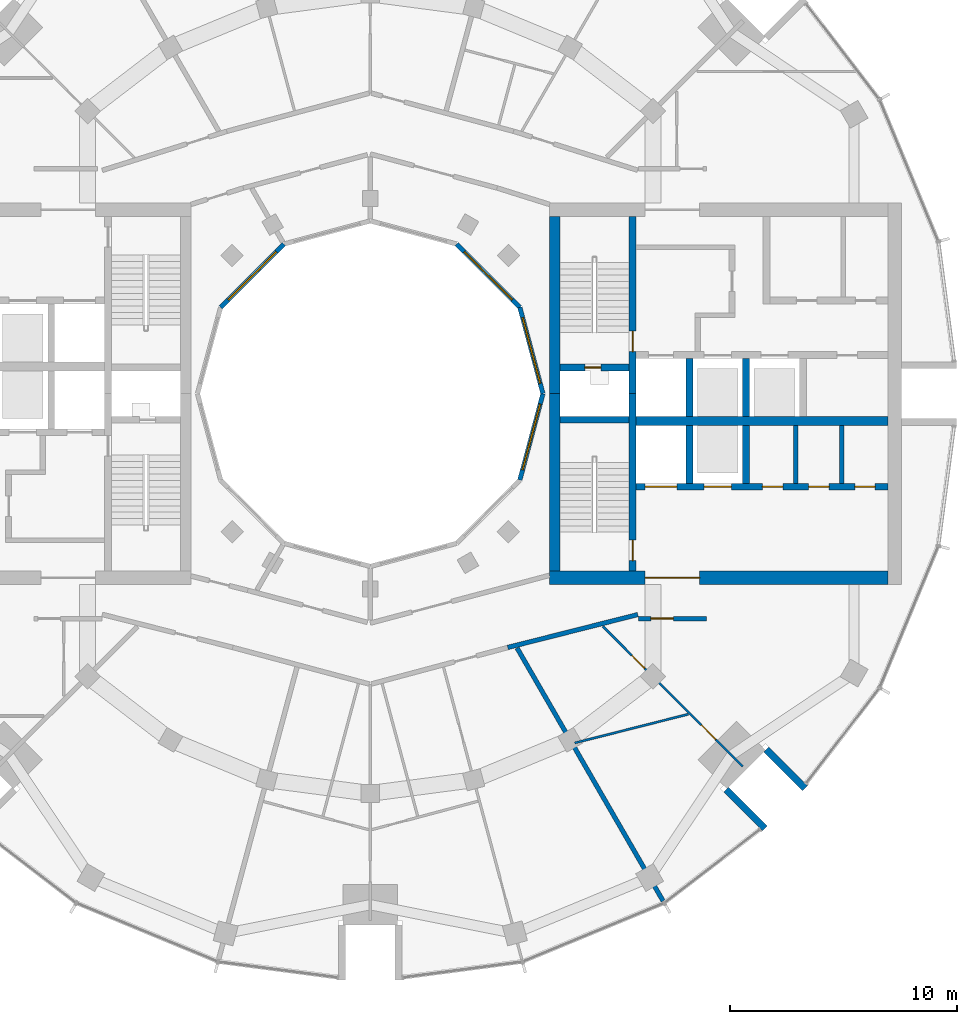
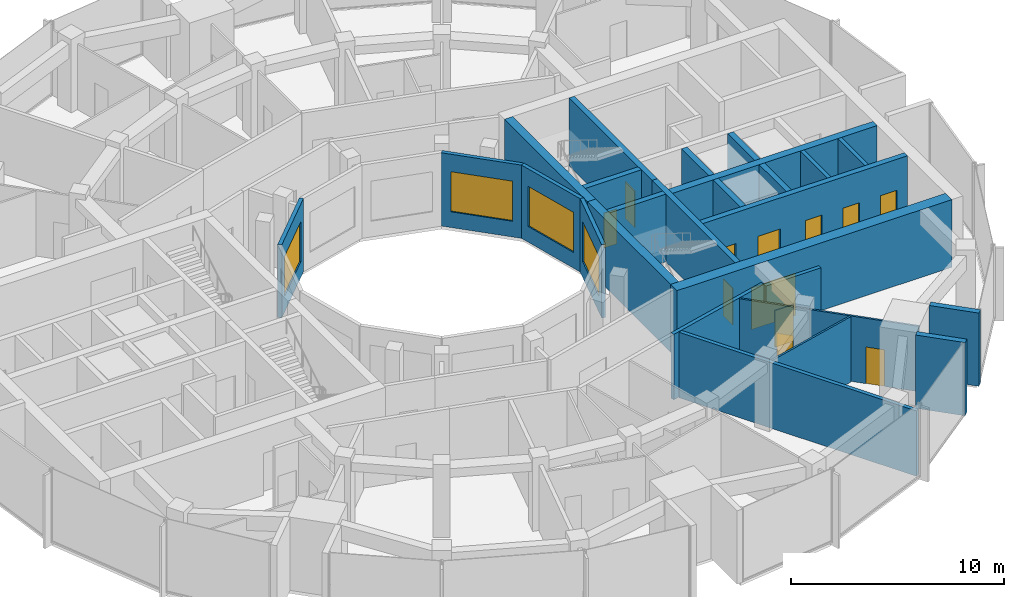
# One storey, part 10 of 15: 26 walls, 12 doors, 4 windows, 16 openings.
"""IFC4 building model written with IfcOpenShell, lengths in metres."""

import ifcopenshell
import ifcopenshell.guid

model = None  # the IFC model being written
_history = None  # IfcOwnerHistory: only IFC2X3 demands one
_inside = {}  # id of a spatial element -> (the spatial element, [elements in it])
_under = {}  # id of a project, library or spatial element -> (it, [spatial elements below it])
_declared = {}  # id of a project -> (the project, [libraries it declares])
_typed = {}  # id of a type object -> (the type object, [elements of that type])
_made_of = {}  # id of a material, layer set ... -> (it, [elements and type objects made of it])


def new_model(schema):
    """Start an empty IFC model of exactly this schema.

    Asked for "IFC4X3", IfcOpenShell would pick the latest addendum, in which some entities
    have other attributes; the version numbers below select the first issue.
    IFC2X3 requires an IfcOwnerHistory on every rooted entity: one is made here for all.
    """
    global model, _history
    if schema == "IFC4X3":
        model = ifcopenshell.file(schema_version=(4, 3, 0, 0))
    else:
        model = ifcopenshell.file(schema=schema)
    _inside.clear()
    _under.clear()
    _declared.clear()
    _typed.clear()
    _made_of.clear()
    _history = None
    if model.schema == "IFC2X3":
        org = make("IfcOrganization", Name="unknown")
        user = make(
            "IfcPersonAndOrganization",
            ThePerson=make("IfcPerson", FamilyName="unknown"),
            TheOrganization=org,
        )
        app = make(
            "IfcApplication",
            ApplicationDeveloper=org,
            Version="unknown",
            ApplicationFullName="unknown",
            ApplicationIdentifier="unknown",
        )
        _history = make(
            "IfcOwnerHistory",
            OwningUser=user,
            OwningApplication=app,
            ChangeAction="ADDED",
            CreationDate=0,
        )
    return model


def make(cls, **values):
    """One entity of the class cls with the attributes given. An attribute that is None is left unset."""
    return model.create_entity(
        cls, **{name: value for name, value in values.items() if value is not None}
    )


def rooted(cls, **values):
    """An entity with a GlobalId (a new one), such as an element, a storey or a relation."""
    return make(cls, GlobalId=ifcopenshell.guid.new(), OwnerHistory=_history, **values)


def si_unit(unit_type, name, prefix=None):
    """IfcSIUnit, for example si_unit("LENGTHUNIT", "METRE", prefix="MILLI")."""
    return make("IfcSIUnit", UnitType=unit_type, Prefix=prefix, Name=name)


def assignment(units):
    """IfcUnitAssignment: the units of a project."""
    return None if units is None else make("IfcUnitAssignment", Units=units)


def point(xyz):
    """IfcCartesianPoint."""
    return None if xyz is None else make("IfcCartesianPoint", Coordinates=xyz)


def direction(xyz):
    """IfcDirection."""
    return None if xyz is None else make("IfcDirection", DirectionRatios=xyz)


def frame(location, z_axis=None, x_axis=None):
    """IfcAxis2Placement3D, a coordinate frame: its origin and axes. An axis left out is left unset."""
    return make(
        "IfcAxis2Placement3D",
        Location=point(location),
        Axis=direction(z_axis),
        RefDirection=direction(x_axis),
    )


def frame_2d(location, x_axis=None):
    """IfcAxis2Placement2D, a coordinate frame in the plane: its origin and x axis."""
    return make(
        "IfcAxis2Placement2D", Location=point(location), RefDirection=direction(x_axis)
    )


def origin():
    """The frame at (0, 0, 0) with its axes left unset."""
    return frame((0.0, 0.0, 0.0))


def place(relative_to, where):
    """IfcLocalPlacement: puts the frame where relative to a parent placement (None: the world)."""
    return make(
        "IfcLocalPlacement", PlacementRelTo=relative_to, RelativePlacement=where
    )


def context(
    kind, dimensions, precision=None, world=None, true_north=None, identifier=None
):
    """IfcGeometricRepresentationContext, for example the 3D "Model" context."""
    return make(
        "IfcGeometricRepresentationContext",
        ContextIdentifier=identifier,
        ContextType=kind,
        CoordinateSpaceDimension=dimensions,
        Precision=precision,
        WorldCoordinateSystem=world,
        TrueNorth=true_north,
    )


def subcontext(parent, identifier, kind, view, scale=None):
    """IfcGeometricRepresentationSubContext, for example "Body" below "Model"."""
    return make(
        "IfcGeometricRepresentationSubContext",
        ContextIdentifier=identifier,
        ContextType=kind,
        ParentContext=parent,
        TargetScale=scale,
        TargetView=view,
    )


def project(units=None, contexts=None):
    """IfcProject with its units and contexts."""
    return rooted(
        "IfcProject",
        Name="project",
        RepresentationContexts=contexts,
        UnitsInContext=assignment(units),
    )


def spatial(cls, under=None, at=None, **own):
    """A site, building, storey or space (cls), placed at a placement, below another one or the project."""
    s = rooted(cls, ObjectPlacement=at, **own)
    if under is not None:
        _under.setdefault(under.id(), (under, []))[1].append(s)
    return s


def profile(cls, at=None, kind="AREA", **sizes):
    """A parametric profile (cls). Its sizes go by their IFC names, for example OverallWidth=200.0."""
    return make(cls, ProfileType=kind, Position=at, **sizes)


def rectangle(**sizes):
    """IfcRectangleProfileDef."""
    return profile("IfcRectangleProfileDef", **sizes)


def extrude(swept, where, along, depth):
    """IfcExtrudedAreaSolid: the profile swept, set in the frame where, extruded along a direction by depth."""
    return make(
        "IfcExtrudedAreaSolid",
        SweptArea=swept,
        Position=where,
        ExtrudedDirection=direction(along),
        Depth=depth,
    )


def shape(context_of_items, identifier, shape_type, items):
    """IfcShapeRepresentation: the items that make up one representation, for example the "Body"."""
    return make(
        "IfcShapeRepresentation",
        ContextOfItems=context_of_items,
        RepresentationIdentifier=identifier,
        RepresentationType=shape_type,
        Items=items,
    )


def material(Name=None, Category=None):
    """IfcMaterial."""
    return make("IfcMaterial", Name=Name, Category=Category)


def layer(
    of_material, thickness, ventilated=None, Name=None, Category=None, Priority=None
):
    """IfcMaterialLayer: one layer of a wall or slab, of a material (None: an air gap)."""
    return make(
        "IfcMaterialLayer",
        Material=of_material,
        LayerThickness=thickness,
        IsVentilated=ventilated,
        Name=Name,
        Category=Category,
        Priority=Priority,
    )


def layer_set(layers, Name=None):
    """IfcMaterialLayerSet."""
    return make("IfcMaterialLayerSet", MaterialLayers=layers, LayerSetName=Name)


def made_of(thing, what):
    """Note that an element or type object is made of a material, layer set ...; save() writes the relation."""
    if what is not None:
        _made_of.setdefault(what.id(), (what, []))[1].append(thing)
    return thing


def type_object(cls, material=None, **own):
    """A type object (cls), such as IfcWallType, which elements share."""
    return made_of(rooted(cls, **own), material)


def element(
    cls,
    number,
    at=None,
    inside=None,
    cuts=None,
    type_object=None,
    material=None,
    context=None,
    identifier="Body",
    shape_type=None,
    held_by="IfcProductDefinitionShape",
    body=None,
    shapes=None,
    **own,
):
    """One element of the class cls, such as IfcWall. Its Tag is "e" and its number.

    at: its placement. inside: the storey or other place that contains it. cuts: it is an
    opening in that element (IfcRelVoidsElement). A single representation is given by context,
    identifier, shape_type and body (its items); several are given by shapes. held_by: the class
    of the entity that holds the representations. save() writes the other relations.
    """
    e = rooted(cls, Tag="e%d" % number, ObjectPlacement=at, **own)
    if body is not None:
        shapes = [shape(context, identifier, shape_type, body)]
    if shapes is not None:
        e.Representation = make(held_by, Representations=shapes)
    if inside is not None:
        _inside.setdefault(inside.id(), (inside, []))[1].append(e)
    if cuts is not None:
        rooted(
            "IfcRelVoidsElement", RelatingBuildingElement=cuts, RelatedOpeningElement=e
        )
    if type_object is not None:
        _typed.setdefault(type_object.id(), (type_object, []))[1].append(e)
    return made_of(e, material)


def fill(opening, filler):
    """IfcRelFillsElement: the door or window that sits in an opening."""
    return rooted(
        "IfcRelFillsElement",
        RelatingOpeningElement=opening,
        RelatedBuildingElement=filler,
    )


def aggregate(whole, parts):
    """IfcRelAggregates: a whole, such as a stair, and the parts it consists of."""
    return rooted("IfcRelAggregates", RelatingObject=whole, RelatedObjects=parts)


def save(model, path):
    """Write the relations noted so far, then the file.

    IfcRelAggregates (storeys below a building ...), IfcRelContainedInSpatialStructure (elements
    in a storey), IfcRelDefinesByType, IfcRelAssociatesMaterial and IfcRelDeclares: one each for
    every whole, place, type object, material and project.
    """
    for whole, parts in _under.values():
        aggregate(whole, parts)
    for where, things in _inside.values():
        rooted(
            "IfcRelContainedInSpatialStructure",
            RelatedElements=things,
            RelatingStructure=where,
        )
    for kind, things in _typed.values():
        rooted("IfcRelDefinesByType", RelatedObjects=things, RelatingType=kind)
    for what, things in _made_of.values():
        rooted("IfcRelAssociatesMaterial", RelatedObjects=things, RelatingMaterial=what)
    for by, libraries in _declared.values():
        rooted("IfcRelDeclares", RelatingContext=by, RelatedDefinitions=libraries)
    model.write(path)


model = new_model("IFC4")

# Units and contexts
model_context = context("Model", 3, precision=1e-05, world=origin(), true_north=direction((0.0, 1.0)))
body_context = subcontext(model_context, "Body", "Model", "MODEL_VIEW")
ifc_project = project(units=[si_unit("LENGTHUNIT", "METRE"), si_unit("AREAUNIT", "SQUARE_METRE"), si_unit("VOLUMEUNIT", "CUBIC_METRE"), si_unit("PLANEANGLEUNIT", "RADIAN"), si_unit("MASSUNIT", "GRAM", prefix="KILO")], contexts=[model_context])

# Site, building, storey
site_placement = place(None, origin())
site = spatial("IfcSite", under=ifc_project, at=site_placement, CompositionType="ELEMENT")
building_placement = place(site_placement, origin())
building = spatial("IfcBuilding", under=site, at=building_placement, Name="Torre Brocal", CompositionType="ELEMENT")
storey_placement = place(building_placement, frame((0.0, 0.0, 262.5)))
storey = spatial("IfcBuildingStorey", under=building, at=storey_placement, Name="L60", CompositionType="ELEMENT", Elevation=262.5)

# Walls
ifc_material_1 = material(Name="Masonry block", Category="masonry")
ifc_layer_1 = layer(ifc_material_1, 0.199951171875)
ifc_layer_set_1 = layer_set([ifc_layer_1], Name="Masonry block")
wall_type_1 = type_object("IfcWallType", Name="CORE PARTITION 200", PredefinedType="PARTITIONING", material=ifc_layer_set_1)
for number, where, z_axis, x_axis, name in (
    (1, (98.7333984375, 71.050048828125, 0.0), (0.0, 0.0, 1.0), (0.0, 1.0, 0.0), "Wall CP200"),
    (2, (100.7666015625, 71.050048828125, 0.0), (0.0, 0.0, 1.0), (0.0, 1.0, 0.0), "Wall CP200"),
):
    element("IfcWall", number, at=place(storey_placement, frame(where, z_axis=z_axis, x_axis=x_axis)), inside=storey, type_object=wall_type_1, Name=name, PredefinedType="PARTITIONING", context=body_context, shape_type="SweptSolid", body=[
        extrude(rectangle(XDim=2.550048828125, YDim=0.199951171875, at=frame_2d((1.27490234375, 0.0))), origin(), (0.0, 0.0, 1.0), 3.8798828125),
    ])

# Wall, opening, door
ifc_material_2 = material(Name="Concrete C60", Category="concrete")
ifc_layer_2 = layer(ifc_material_2, 0.300048828125)
ifc_layer_set_2 = layer_set([ifc_layer_2], Name="Concrete C60")
wall_type_2 = type_object("IfcWallType", Name="CORE WALL 300 C60", PredefinedType="SHEAR", material=ifc_layer_set_2)
wall_1_placement = place(storey_placement, frame((91.550048828125, 75.0, 0.0), z_axis=(0.0, 0.0, 1.0), x_axis=(0.0, 1.0, 0.0)))
wall_1 = element("IfcWall", 3, at=wall_1_placement, inside=storey, type_object=wall_type_2, Name="Wall CW300-60", PredefinedType="SHEAR", context=body_context, shape_type="SweptSolid", body=[
    extrude(rectangle(XDim=7.800048828125, YDim=0.300048828125, at=frame_2d((3.89990234375, 0.0))), origin(), (0.0, 0.0, 1.0), 3.8798828125),
])
opening_1_placement = place(wall_1_placement, frame((1.85009765625, 0.0, 0.0)))
opening_1 = element("IfcOpeningElement", 4, at=opening_1_placement, cuts=wall_1, Name="Opening E-D02", PredefinedType="OPENING", context=body_context, shape_type="SweptSolid", body=[
    extrude(rectangle(XDim=0.89990234375, YDim=2.10009765625, at=frame_2d((0.449951171875, 1.050048828125))), frame((0.0, 0.159912109375, 0.0), z_axis=(0.0, -1.0, 0.0), x_axis=(1.0, 0.0, 0.0)), (0.0, 0.0, 1.0), 0.320068359375),
])
ifc_material_3 = material(Name="Steel A653", Category="steel")
door_type_1 = type_object("IfcDoorType", Name="STAIR DOOR FD120 900X2100", OperationType="SINGLE_SWING_RIGHT", PredefinedType="DOOR", material=ifc_material_3)
door_1_placement = place(opening_1_placement, origin())
door_1 = element("IfcDoor", 5, at=door_1_placement, inside=storey, type_object=door_type_1, Name="Door E-D02", OperationType="SINGLE_SWING_LEFT", OverallHeight=2.10009765625, OverallWidth=0.89990234375, PredefinedType="DOOR", context=body_context, shape_type="SweptSolid", body=[
    extrude(rectangle(XDim=0.89990234375, YDim=2.10009765625, at=frame_2d((0.449951171875, 1.050048828125))), frame((0.0, 0.02490234375, 0.0), z_axis=(0.0, -1.0, 0.0), x_axis=(1.0, 0.0, 0.0)), (0.0, 0.0, 1.0), 0.050048828125),
])
fill(opening_1, door_1)

wall_2_placement = place(storey_placement, frame((91.550048828125, 67.199951171875, 0.0), z_axis=(0.0, 0.0, 1.0), x_axis=(0.0, 1.0, 0.0)))
wall_2 = element("IfcWall", 6, at=wall_2_placement, inside=storey, type_object=wall_type_2, Name="Wall CW300-60", PredefinedType="SHEAR", context=body_context, shape_type="SweptSolid", body=[
    extrude(rectangle(XDim=7.800048828125, YDim=0.300048828125, at=frame_2d((3.89990234375, 0.0))), origin(), (0.0, 0.0, 1.0), 3.8798828125),
])
opening_2_placement = place(wall_2_placement, frame((0.449951171875, 0.0, 0.0)))
opening_2 = element("IfcOpeningElement", 7, at=opening_2_placement, cuts=wall_2, Name="Opening E-D03", PredefinedType="OPENING", context=body_context, shape_type="SweptSolid", body=[
    extrude(rectangle(XDim=0.89990234375, YDim=2.10009765625, at=frame_2d((0.449951171875, 1.050048828125))), frame((0.0, 0.159912109375, 0.0), z_axis=(0.0, -1.0, 0.0), x_axis=(1.0, 0.0, 0.0)), (0.0, 0.0, 1.0), 0.320068359375),
])
door_2_placement = place(opening_2_placement, origin())
door_2 = element("IfcDoor", 8, at=door_2_placement, inside=storey, type_object=door_type_1, Name="Door E-D03", OperationType="SINGLE_SWING_LEFT", OverallHeight=2.10009765625, OverallWidth=0.89990234375, PredefinedType="DOOR", context=body_context, shape_type="SweptSolid", body=[
    extrude(rectangle(XDim=0.89990234375, YDim=2.10009765625, at=frame_2d((0.449951171875, 1.050048828125))), frame((0.0, 0.02490234375, 0.0), z_axis=(0.0, -1.0, 0.0), x_axis=(1.0, 0.0, 0.0)), (0.0, 0.0, 1.0), 0.050048828125),
])
fill(opening_2, door_2)

wall_3_placement = place(storey_placement, frame((88.35009765625, 76.14990234375, 0.0), z_axis=(0.0, 0.0, 1.0), x_axis=(1.0, 0.0, 0.0)))
wall_3 = element("IfcWall", 9, at=wall_3_placement, inside=storey, type_object=wall_type_2, Name="Wall CW300-60", PredefinedType="SHEAR", context=body_context, shape_type="SweptSolid", body=[
    extrude(rectangle(XDim=3.0498046875, YDim=0.300048828125, at=frame_2d((1.52490234375, 0.0))), origin(), (0.0, 0.0, 1.0), 3.8798828125),
])
opening_3_placement = place(wall_3_placement, frame((1.10009765625, 0.0, 0.0)))
opening_3 = element("IfcOpeningElement", 10, at=opening_3_placement, cuts=wall_3, Name="Opening E-D01", PredefinedType="OPENING", context=body_context, shape_type="SweptSolid", body=[
    extrude(rectangle(XDim=0.699951171875, YDim=2.0, at=frame_2d((0.35009765625, 1.0))), frame((0.0, 0.159912109375, 0.0), z_axis=(0.0, -1.0, 0.0), x_axis=(1.0, 0.0, 0.0)), (0.0, 0.0, 1.0), 0.320068359375),
])
ifc_material_4 = material(Name="Steel A653", Category="steel")
door_type_2 = type_object("IfcDoorType", Name="RISER DOOR FD120 700X2000", OperationType="SINGLE_SWING_LEFT", PredefinedType="DOOR", material=ifc_material_4)
door_3_placement = place(opening_3_placement, frame((0.699951171875, 0.0, 0.0), z_axis=(0.0, 0.0, 1.0), x_axis=(-1.0, 0.0, 0.0)))
door_3 = element("IfcDoor", 11, at=door_3_placement, inside=storey, type_object=door_type_2, Name="Door E-D01", OperationType="SINGLE_SWING_RIGHT", OverallHeight=2.0, OverallWidth=0.699951171875, PredefinedType="DOOR", context=body_context, shape_type="SweptSolid", body=[
    extrude(rectangle(XDim=0.699951171875, YDim=2.0, at=frame_2d((0.35009765625, 1.0))), frame((0.0, 0.02490234375, 0.0), z_axis=(0.0, -1.0, 0.0), x_axis=(1.0, 0.0, 0.0)), (0.0, 0.0, 1.0), 0.050048828125),
])
fill(opening_3, door_3)

# Wall
wall_4_placement = place(storey_placement, frame((88.35009765625, 73.85009765625, 0.0), z_axis=(0.0, 0.0, 1.0), x_axis=(1.0, 0.0, 0.0)))
element("IfcWall", 12, at=wall_4_placement, inside=storey, type_object=wall_type_2, Name="Wall CW300-60", PredefinedType="SHEAR", context=body_context, shape_type="SweptSolid", body=[
    extrude(rectangle(XDim=3.0498046875, YDim=0.300048828125, at=frame_2d((1.52490234375, 0.0))), origin(), (0.0, 0.0, 1.0), 3.8798828125),
])

# Wall, openings, doors
wall_5_placement = place(storey_placement, frame((91.699951171875, 70.89990234375, 0.0), z_axis=(0.0, 0.0, 1.0), x_axis=(1.0, 0.0, 0.0)))
wall_5 = element("IfcWall", 13, at=wall_5_placement, inside=storey, type_object=wall_type_2, Name="Wall CW300-60", PredefinedType="SHEAR", context=body_context, shape_type="SweptSolid", body=[
    extrude(rectangle(XDim=11.10009765625, YDim=0.300048828125, at=frame_2d((5.550048828125, 0.0))), origin(), (0.0, 0.0, 1.0), 3.8798828125),
])
opening_4_placement = place(wall_5_placement, frame((0.39990234375, 0.0, 0.0)))
opening_4 = element("IfcOpeningElement", 14, at=opening_4_placement, cuts=wall_5, Name="Opening LD14", PredefinedType="OPENING", context=body_context, shape_type="SweptSolid", body=[
    extrude(rectangle(XDim=1.39990234375, YDim=2.10009765625, at=frame_2d((0.699951171875, 1.050048828125))), frame((0.0, 0.159912109375, 0.0), z_axis=(0.0, -1.0, 0.0), x_axis=(1.0, 0.0, 0.0)), (0.0, 0.0, 1.0), 0.320068359375),
])
opening_5_placement = place(wall_5_placement, frame((3.0, 0.0, 0.0)))
opening_5 = element("IfcOpeningElement", 15, at=opening_5_placement, cuts=wall_5, Name="Opening LD12", PredefinedType="OPENING", context=body_context, shape_type="SweptSolid", body=[
    extrude(rectangle(XDim=1.199951171875, YDim=2.10009765625, at=frame_2d((0.60009765625, 1.050048828125))), frame((0.0, 0.159912109375, 0.0), z_axis=(0.0, -1.0, 0.0), x_axis=(1.0, 0.0, 0.0)), (0.0, 0.0, 1.0), 0.320068359375),
])
opening_6_placement = place(wall_5_placement, frame((5.566650390625, 0.0, 0.0)))
opening_6 = element("IfcOpeningElement", 16, at=opening_6_placement, cuts=wall_5, Name="Opening E-D05", PredefinedType="OPENING", context=body_context, shape_type="SweptSolid", body=[
    extrude(rectangle(XDim=0.89990234375, YDim=2.10009765625, at=frame_2d((0.449951171875, 1.050048828125))), frame((0.0, 0.159912109375, 0.0), z_axis=(0.0, -1.0, 0.0), x_axis=(1.0, 0.0, 0.0)), (0.0, 0.0, 1.0), 0.320068359375),
])
opening_7_placement = place(wall_5_placement, frame((7.60009765625, 0.0, 0.0)))
opening_7 = element("IfcOpeningElement", 17, at=opening_7_placement, cuts=wall_5, Name="Opening E-D06", PredefinedType="OPENING", context=body_context, shape_type="SweptSolid", body=[
    extrude(rectangle(XDim=0.89990234375, YDim=2.10009765625, at=frame_2d((0.449951171875, 1.050048828125))), frame((0.0, 0.159912109375, 0.0), z_axis=(0.0, -1.0, 0.0), x_axis=(1.0, 0.0, 0.0)), (0.0, 0.0, 1.0), 0.320068359375),
])
opening_8_placement = place(wall_5_placement, frame((9.63330078125, 0.0, 0.0)))
opening_8 = element("IfcOpeningElement", 18, at=opening_8_placement, cuts=wall_5, Name="Opening E-D07", PredefinedType="OPENING", context=body_context, shape_type="SweptSolid", body=[
    extrude(rectangle(XDim=0.89990234375, YDim=2.10009765625, at=frame_2d((0.449951171875, 1.050048828125))), frame((0.0, 0.159912109375, 0.0), z_axis=(0.0, -1.0, 0.0), x_axis=(1.0, 0.0, 0.0)), (0.0, 0.0, 1.0), 0.320068359375),
])
ifc_material_5 = material(Name="Stainless steel AISI 316", Category="steel")
door_type_3 = type_object("IfcDoorType", Name="LIFT LANDING DOOR 1200X2100", OperationType="DOUBLE_DOOR_SLIDING", PredefinedType="DOOR", material=ifc_material_5)
door_4_placement = place(opening_5_placement, origin())
door_4 = element("IfcDoor", 19, at=door_4_placement, inside=storey, type_object=door_type_3, Name="Door LD12", OperationType="DOUBLE_DOOR_SLIDING", OverallHeight=2.10009765625, OverallWidth=1.199951171875, PredefinedType="DOOR", context=body_context, shape_type="SweptSolid", body=[
    extrude(rectangle(XDim=1.199951171875, YDim=2.10009765625, at=frame_2d((0.60009765625, 1.050048828125))), frame((0.0, 0.02490234375, 0.0), z_axis=(0.0, -1.0, 0.0), x_axis=(1.0, 0.0, 0.0)), (0.0, 0.0, 1.0), 0.050048828125),
])
fill(opening_5, door_4)
ifc_material_6 = material(Name="Stainless steel AISI 316", Category="steel")
door_type_4 = type_object("IfcDoorType", Name="LIFT LANDING DOOR 1400X2100", OperationType="DOUBLE_DOOR_SLIDING", PredefinedType="DOOR", material=ifc_material_6)
door_5_placement = place(opening_4_placement, origin())
door_5 = element("IfcDoor", 20, at=door_5_placement, inside=storey, type_object=door_type_4, Name="Door LD14", OperationType="DOUBLE_DOOR_SLIDING", OverallHeight=2.10009765625, OverallWidth=1.39990234375, PredefinedType="DOOR", context=body_context, shape_type="SweptSolid", body=[
    extrude(rectangle(XDim=1.39990234375, YDim=2.10009765625, at=frame_2d((0.699951171875, 1.050048828125))), frame((0.0, 0.02490234375, 0.0), z_axis=(0.0, -1.0, 0.0), x_axis=(1.0, 0.0, 0.0)), (0.0, 0.0, 1.0), 0.050048828125),
])
fill(opening_4, door_5)
ifc_material_7 = material(Name="Steel A653", Category="steel")
door_type_5 = type_object("IfcDoorType", Name="ROOM DOOR FD30S 900X2100", OperationType="SINGLE_SWING_LEFT", PredefinedType="DOOR", material=ifc_material_7)
door_6_placement = place(opening_6_placement, origin())
door_6 = element("IfcDoor", 21, at=door_6_placement, inside=storey, type_object=door_type_5, Name="Door E-D05", OperationType="SINGLE_SWING_RIGHT", OverallHeight=2.10009765625, OverallWidth=0.89990234375, PredefinedType="DOOR", context=body_context, shape_type="SweptSolid", body=[
    extrude(rectangle(XDim=0.89990234375, YDim=2.10009765625, at=frame_2d((0.449951171875, 1.050048828125))), frame((0.0, 0.02490234375, 0.0), z_axis=(0.0, -1.0, 0.0), x_axis=(1.0, 0.0, 0.0)), (0.0, 0.0, 1.0), 0.050048828125),
])
fill(opening_6, door_6)
door_7_placement = place(opening_7_placement, origin())
door_7 = element("IfcDoor", 22, at=door_7_placement, inside=storey, type_object=door_type_5, Name="Door E-D06", OperationType="SINGLE_SWING_RIGHT", OverallHeight=2.10009765625, OverallWidth=0.89990234375, PredefinedType="DOOR", context=body_context, shape_type="SweptSolid", body=[
    extrude(rectangle(XDim=0.89990234375, YDim=2.10009765625, at=frame_2d((0.449951171875, 1.050048828125))), frame((0.0, 0.02490234375, 0.0), z_axis=(0.0, -1.0, 0.0), x_axis=(1.0, 0.0, 0.0)), (0.0, 0.0, 1.0), 0.050048828125),
])
fill(opening_7, door_7)
door_8_placement = place(opening_8_placement, origin())
door_8 = element("IfcDoor", 23, at=door_8_placement, inside=storey, type_object=door_type_5, Name="Door E-D07", OperationType="SINGLE_SWING_LEFT", OverallHeight=2.10009765625, OverallWidth=0.89990234375, PredefinedType="DOOR", context=body_context, shape_type="SweptSolid", body=[
    extrude(rectangle(XDim=0.89990234375, YDim=2.10009765625, at=frame_2d((0.449951171875, 1.050048828125))), frame((0.0, 0.02490234375, 0.0), z_axis=(0.0, -1.0, 0.0), x_axis=(1.0, 0.0, 0.0)), (0.0, 0.0, 1.0), 0.050048828125),
])
fill(opening_8, door_8)

# Walls
for number, where, z_axis, x_axis, name in (
    (24, (94.050048828125, 74.0, 0.0), (0.0, 0.0, 1.0), (0.0, 1.0, 0.0), "Wall CW300-60"),
    (25, (96.550048828125, 74.0, 0.0), (0.0, 0.0, 1.0), (0.0, 1.0, 0.0), "Wall CW300-60"),
    (26, (94.050048828125, 71.050048828125, 0.0), (0.0, 0.0, 1.0), (0.0, 1.0, 0.0), "Wall CW300-60"),
    (27, (96.550048828125, 71.050048828125, 0.0), (0.0, 0.0, 1.0), (0.0, 1.0, 0.0), "Wall CW300-60"),
):
    element("IfcWall", number, at=place(storey_placement, frame(where, z_axis=z_axis, x_axis=x_axis)), inside=storey, type_object=wall_type_2, Name=name, PredefinedType="SHEAR", context=body_context, shape_type="SweptSolid", body=[
        extrude(rectangle(XDim=2.550048828125, YDim=0.300048828125, at=frame_2d((1.27490234375, 0.0))), origin(), (0.0, 0.0, 1.0), 3.8798828125),
    ])
ifc_material_8 = material(Name="Concrete C60", Category="concrete")
ifc_layer_3 = layer(ifc_material_8, 0.39990234375)
ifc_layer_set_3 = layer_set([ifc_layer_3], Name="Concrete C60")
wall_type_3 = type_object("IfcWallType", Name="CORE WALL 400 C60", PredefinedType="SHEAR", material=ifc_layer_set_3)
wall_6_placement = place(storey_placement, frame((91.699951171875, 73.800048828125, 0.0), z_axis=(0.0, 0.0, 1.0), x_axis=(1.0, 0.0, 0.0)))
element("IfcWall", 28, at=wall_6_placement, inside=storey, type_object=wall_type_3, Name="Wall CW400-60", PredefinedType="SHEAR", context=body_context, shape_type="SweptSolid", body=[
    extrude(rectangle(XDim=11.10009765625, YDim=0.39990234375, at=frame_2d((5.550048828125, 0.0))), origin(), (0.0, 0.0, 1.0), 3.8798828125),
])
ifc_material_9 = material(Name="Concrete C60", Category="concrete")
ifc_layer_4 = layer(ifc_material_9, 0.449951171875)
ifc_layer_set_4 = layer_set([ifc_layer_4], Name="Concrete C60")
wall_type_4 = type_object("IfcWallType", Name="CORE WALL 450 C60", PredefinedType="SHEAR", material=ifc_layer_set_4)
for number, where, z_axis, x_axis, name in (
    (29, (88.125, 75.0, 0.0), (0.0, 0.0, 1.0), (0.0, 1.0, 0.0), "Wall CW450-60"),
    (30, (88.125, 67.199951171875, 0.0), (0.0, 0.0, 1.0), (0.0, 1.0, 0.0), "Wall CW450-60"),
):
    element("IfcWall", number, at=place(storey_placement, frame(where, z_axis=z_axis, x_axis=x_axis)), inside=storey, type_object=wall_type_4, Name=name, PredefinedType="SHEAR", context=body_context, shape_type="SweptSolid", body=[
        extrude(rectangle(XDim=7.800048828125, YDim=0.449951171875, at=frame_2d((3.89990234375, 0.0))), origin(), (0.0, 0.0, 1.0), 3.8798828125),
    ])

# Wall, opening, door
ifc_material_10 = material(Name="Concrete C60", Category="concrete")
ifc_layer_5 = layer(ifc_material_10, 0.60009765625)
ifc_layer_set_5 = layer_set([ifc_layer_5], Name="Concrete C60")
wall_type_5 = type_object("IfcWallType", Name="CORE WALL 600 C60", PredefinedType="SHEAR", material=ifc_layer_set_5)
wall_7_placement = place(storey_placement, frame((87.89990234375, 66.89990234375, 0.0), z_axis=(0.0, 0.0, 1.0), x_axis=(1.0, 0.0, 0.0)))
wall_7 = element("IfcWall", 31, at=wall_7_placement, inside=storey, type_object=wall_type_5, Name="Wall CW600-60", PredefinedType="SHEAR", context=body_context, shape_type="SweptSolid", body=[
    extrude(rectangle(XDim=14.900146484375, YDim=0.60009765625, at=frame_2d((7.4501953125, 0.0))), origin(), (0.0, 0.0, 1.0), 3.8798828125),
])
opening_9_placement = place(wall_7_placement, frame((4.199951171875, 0.0, 0.0)))
opening_9 = element("IfcOpeningElement", 32, at=opening_9_placement, cuts=wall_7, Name="Opening E-D12", PredefinedType="OPENING", context=body_context, shape_type="SweptSolid", body=[
    extrude(rectangle(XDim=2.39990234375, YDim=2.39990234375, at=frame_2d((1.199951171875, 1.199951171875))), frame((0.0, 0.31005859375, 0.0), z_axis=(0.0, -1.0, 0.0), x_axis=(1.0, 0.0, 0.0)), (0.0, 0.0, 1.0), 0.6201171875),
])
ifc_material_11 = material(Name="Steel A653", Category="steel")
door_type_6 = type_object("IfcDoorType", Name="DOUBLE FIRE DOOR FD90 2400X2400", OperationType="DOUBLE_DOOR_SINGLE_SWING", PredefinedType="DOOR", material=ifc_material_11)
door_9_placement = place(opening_9_placement, origin())
door_9 = element("IfcDoor", 33, at=door_9_placement, inside=storey, type_object=door_type_6, Name="Door E-D12", OperationType="DOUBLE_DOOR_SINGLE_SWING", OverallHeight=2.39990234375, OverallWidth=2.39990234375, PredefinedType="DOOR", context=body_context, shape_type="SweptSolid", body=[
    extrude(rectangle(XDim=2.39990234375, YDim=2.39990234375, at=frame_2d((1.199951171875, 1.199951171875))), frame((0.0, 0.02490234375, 0.0), z_axis=(0.0, -1.0, 0.0), x_axis=(1.0, 0.0, 0.0)), (0.0, 0.0, 1.0), 0.050048828125),
])
fill(opening_9, door_9)

# Walls
ifc_material_12 = material(Name="Concrete C60", Category="concrete")
ifc_layer_6 = layer(ifc_material_12, 0.300048828125)
ifc_layer_set_6 = layer_set([ifc_layer_6], Name="Concrete C60")
wall_type_6 = type_object("IfcWallType", Name="NOTCH RETURN WALL 300 C60", PredefinedType="NOTDEFINED", material=ifc_layer_set_6)
for number, where, z_axis, x_axis, name in (
    (34, (95.662353515625, 57.56982421875, 0.0), (0.0, 0.0, 1.0), (0.707106781187, -0.707106781187, 0.0), "NOTCH RETURN WALL"),
    (35, (97.43017578125, 59.337646484375, 0.0), (0.0, 0.0, 1.0), (0.707106781187, -0.707106781187, 0.0), "NOTCH RETURN WALL"),
):
    element("IfcWall", number, at=place(storey_placement, frame(where, z_axis=z_axis, x_axis=x_axis)), inside=storey, type_object=wall_type_6, Name=name, PredefinedType="NOTDEFINED", context=body_context, shape_type="SweptSolid", body=[
        extrude(rectangle(XDim=2.415771484375, YDim=0.300048828125, at=frame_2d((1.2080078125, 0.0))), origin(), (0.0, 0.0, 1.0), 4.199951171875),
    ])
ifc_material_13 = material(Name="Gypsum board", Category="Gypsum")
ifc_layer_7 = layer(ifc_material_13, 0.10009765625)
ifc_layer_set_7 = layer_set([ifc_layer_7], Name="Gypsum board")
wall_type_7 = type_object("IfcWallType", Name="PARTITION 100", PredefinedType="PARTITIONING", material=ifc_layer_set_7)
wall_8_placement = place(storey_placement, frame((89.001953125, 59.62109375, 0.0), z_axis=(0.0, 0.0, 1.0), x_axis=(0.969445576262, 0.245306491285, 0.0)))
element("IfcWall", 36, at=wall_8_placement, inside=storey, type_object=wall_type_7, Name="BATHROOM WALL", PredefinedType="PARTITIONING", context=body_context, shape_type="SweptSolid", body=[
    extrude(rectangle(XDim=5.160400390625, YDim=0.10009765625, at=frame_2d((2.580078125, 0.0))), origin(), (0.0, 0.0, 1.0), 3.75),
])

# Wall, openings, doors
wall_9_placement = place(storey_placement, frame((90.235107421875, 64.757080078125, 0.0), z_axis=(0.0, 0.0, 1.0), x_axis=(0.706924769926, -0.707288745609, 0.0)))
wall_9 = element("IfcWall", 37, at=wall_9_placement, inside=storey, type_object=wall_type_7, Name="BATHROOM WALL", PredefinedType="PARTITIONING", context=body_context, shape_type="SweptSolid", body=[
    extrude(rectangle(XDim=8.719970703125, YDim=0.10009765625, at=frame_2d((4.35986328125, 0.0))), origin(), (0.0, 0.0, 1.0), 3.75),
])
opening_10_placement = place(wall_9_placement, frame((6.147705078125, 0.0, 0.0)))
opening_10 = element("IfcOpeningElement", 38, at=opening_10_placement, cuts=wall_9, Name="Opening B05-D21", PredefinedType="OPENING", context=body_context, shape_type="SweptSolid", body=[
    extrude(rectangle(XDim=0.89990234375, YDim=2.10009765625, at=frame_2d((0.449951171875, 1.050048828125))), frame((0.0, 0.06005859375, 0.0), z_axis=(0.0, -1.0, 0.0), x_axis=(1.0, 0.0, 0.0)), (0.0, 0.0, 1.0), 0.1201171875),
])
opening_11_placement = place(wall_9_placement, frame((1.819091796875, 0.0, 0.0)))
opening_11 = element("IfcOpeningElement", 39, at=opening_11_placement, cuts=wall_9, Name="Opening B05-D22", PredefinedType="OPENING", context=body_context, shape_type="SweptSolid", body=[
    extrude(rectangle(XDim=0.800048828125, YDim=2.10009765625, at=frame_2d((0.39990234375, 1.050048828125))), frame((0.0, 0.06005859375, 0.0), z_axis=(0.0, -1.0, 0.0), x_axis=(1.0, 0.0, 0.0)), (0.0, 0.0, 1.0), 0.1201171875),
])
ifc_material_14 = material(Name="Timber", Category="wood")
door_type_7 = type_object("IfcDoorType", Name="BATHROOM DOOR 800X2100", OperationType="SINGLE_SWING_LEFT", PredefinedType="DOOR", material=ifc_material_14)
door_10_placement = place(opening_11_placement, frame((0.800048828125, 0.0, 0.0), z_axis=(0.0, 0.0, 1.0), x_axis=(-1.0, 0.0, 0.0)))
door_10 = element("IfcDoor", 40, at=door_10_placement, inside=storey, type_object=door_type_7, Name="B05-D22", OperationType="SINGLE_SWING_RIGHT", OverallHeight=2.10009765625, OverallWidth=0.800048828125, PredefinedType="DOOR", context=body_context, shape_type="SweptSolid", body=[
    extrude(rectangle(XDim=0.800048828125, YDim=2.10009765625, at=frame_2d((0.39990234375, 1.050048828125))), frame((0.0, 0.02490234375, 0.0), z_axis=(0.0, -1.0, 0.0), x_axis=(1.0, 0.0, 0.0)), (0.0, 0.0, 1.0), 0.050048828125),
])
fill(opening_11, door_10)
ifc_material_15 = material(Name="Timber", Category="wood")
door_type_8 = type_object("IfcDoorType", Name="ROOM DOOR 900X2100", OperationType="SINGLE_SWING_LEFT", PredefinedType="DOOR", material=ifc_material_15)
door_11_placement = place(opening_10_placement, origin())
door_11 = element("IfcDoor", 41, at=door_11_placement, inside=storey, type_object=door_type_8, Name="B05-D21", OperationType="SINGLE_SWING_LEFT", OverallHeight=2.10009765625, OverallWidth=0.89990234375, PredefinedType="DOOR", context=body_context, shape_type="SweptSolid", body=[
    extrude(rectangle(XDim=0.89990234375, YDim=2.10009765625, at=frame_2d((0.449951171875, 1.050048828125))), frame((0.0, 0.02490234375, 0.0), z_axis=(0.0, -1.0, 0.0), x_axis=(1.0, 0.0, 0.0)), (0.0, 0.0, 1.0), 0.050048828125),
])
fill(opening_10, door_11)

# Walls
ifc_material_16 = material(Name="Gypsum board", Category="Gypsum")
ifc_layer_8 = layer(ifc_material_16, 0.199951171875)
ifc_layer_set_8 = layer_set([ifc_layer_8], Name="Gypsum board")
wall_type_8 = type_object("IfcWallType", Name="PARTITION 200 EI60", PredefinedType="PARTITIONING", material=ifc_layer_set_8)
wall_10_placement = place(storey_placement, frame((86.052978515625, 63.826171875, 0.0), z_axis=(0.0, 0.0, 1.0), x_axis=(0.969490004987, 0.245130843083, 0.0)))
element("IfcWall", 42, at=wall_10_placement, inside=storey, type_object=wall_type_8, Name="FLAT ENTRANCE WALL", PredefinedType="PARTITIONING", context=body_context, shape_type="SweptSolid", body=[
    extrude(rectangle(XDim=5.907958984375, YDim=0.199951171875, at=frame_2d((2.9541015625, 0.0))), origin(), (0.0, 0.0, 1.0), 3.75),
])
wall_11_placement = place(storey_placement, frame((86.464599609375, 63.80078125, 0.0), z_axis=(0.0, 0.0, 1.0), x_axis=(0.499914633865, -0.866074684336, 0.0)))
element("IfcWall", 43, at=wall_11_placement, inside=storey, type_object=wall_type_8, Name="BATHROOM WALL", PredefinedType="PARTITIONING", context=body_context, shape_type="SweptSolid", body=[
    extrude(rectangle(XDim=12.866455078125, YDim=0.199951171875, at=frame_2d((6.43310546875, 0.0))), origin(), (0.0, 0.0, 1.0), 3.75),
])

# Wall, opening, door
wall_12_placement = place(storey_placement, frame((91.800048828125, 65.10009765625, 0.0), z_axis=(0.0, 0.0, 1.0), x_axis=(1.0, 0.0, 0.0)))
wall_12 = element("IfcWall", 44, at=wall_12_placement, inside=storey, type_object=wall_type_8, Name="FLAT ENTRANCE WALL", PredefinedType="PARTITIONING", context=body_context, shape_type="SweptSolid", body=[
    extrude(rectangle(XDim=3.0, YDim=0.199951171875, at=frame_2d((1.5, 0.0))), origin(), (0.0, 0.0, 1.0), 3.75),
])
opening_12_placement = place(wall_12_placement, frame((0.550048828125, 0.0, 0.0)))
opening_12 = element("IfcOpeningElement", 45, at=opening_12_placement, cuts=wall_12, Name="Opening B05-D20", PredefinedType="OPENING", context=body_context, shape_type="SweptSolid", body=[
    extrude(rectangle(XDim=1.0, YDim=2.10009765625, at=frame_2d((0.5, 1.050048828125))), frame((0.0, 0.10986328125, 0.0), z_axis=(0.0, -1.0, 0.0), x_axis=(1.0, 0.0, 0.0)), (0.0, 0.0, 1.0), 0.219970703125),
])
ifc_material_17 = material(Name="Timber", Category="wood")
door_type_9 = type_object("IfcDoorType", Name="FLAT ENTRY DOOR FD30S 1000X2100", OperationType="SINGLE_SWING_RIGHT", PredefinedType="DOOR", material=ifc_material_17)
door_12_placement = place(opening_12_placement, frame((1.0, 0.0, 0.0), z_axis=(0.0, 0.0, 1.0), x_axis=(-1.0, 0.0, 0.0)))
door_12 = element("IfcDoor", 46, at=door_12_placement, inside=storey, type_object=door_type_9, Name="B05-D20", OperationType="SINGLE_SWING_RIGHT", OverallHeight=2.10009765625, OverallWidth=1.0, PredefinedType="DOOR", context=body_context, shape_type="SweptSolid", body=[
    extrude(rectangle(XDim=1.0, YDim=2.10009765625, at=frame_2d((0.5, 1.050048828125))), frame((0.0, 0.02490234375, 0.0), z_axis=(0.0, -1.0, 0.0), x_axis=(1.0, 0.0, 0.0)), (0.0, 0.0, 1.0), 0.050048828125),
])
fill(opening_12, door_12)

# Wall, opening, window
ifc_material_18 = material(Name="Concrete C40", Category="concrete")
ifc_layer_9 = layer(ifc_material_18, 0.199951171875)
ifc_layer_set_9 = layer_set([ifc_layer_9], Name="Concrete C40")
wall_type_9 = type_object("IfcWallType", Name="WELL FACADE WALL 200", PredefinedType="NOTDEFINED", material=ifc_layer_set_9)
wall_13_placement = place(storey_placement, frame((87.603515625, 75.0, 0.0), z_axis=(0.0, 0.0, 1.0), x_axis=(-0.258789828301, 0.965933654434, 0.0)))
wall_13 = element("IfcWall", 47, at=wall_13_placement, inside=storey, type_object=wall_type_9, Name="WELL FACADE WALL", PredefinedType="NOTDEFINED", context=body_context, shape_type="SweptSolid", body=[
    extrude(rectangle(XDim=3.935791015625, YDim=0.199951171875, at=frame_2d((1.9677734375, 0.0))), origin(), (0.0, 0.0, 1.0), 4.199951171875),
])
opening_13_placement = place(wall_13_placement, frame((0.468017578125, 0.0, 0.89990234375)))
opening_13 = element("IfcOpeningElement", 48, at=opening_13_placement, cuts=wall_13, Name="Opening W1", PredefinedType="OPENING", context=body_context, shape_type="SweptSolid", body=[
    extrude(rectangle(XDim=3.0, YDim=2.300048828125, at=frame_2d((1.5, 1.14990234375))), frame((0.0, 0.10986328125, 0.0), z_axis=(0.0, -1.0, 0.0), x_axis=(1.0, 0.0, 0.0)), (0.0, 0.0, 1.0), 0.219970703125),
])
ifc_material_19 = material(Name="Aluminium and glass", Category="aluminium")
window_type = type_object("IfcWindowType", Name="WELL WINDOW 3000X2300", PartitioningType="SINGLE_PANEL", PredefinedType="WINDOW", material=ifc_material_19)
window_1_placement = place(opening_13_placement, origin())
window_1 = element("IfcWindow", 49, at=window_1_placement, inside=storey, type_object=window_type, Name="WELL WINDOW 3000X2300", OverallHeight=2.300048828125, OverallWidth=3.0, PartitioningType="SINGLE_PANEL", PredefinedType="WINDOW", context=body_context, shape_type="SweptSolid", body=[
    extrude(rectangle(XDim=3.0, YDim=2.300048828125, at=frame_2d((1.5, 1.14990234375))), frame((0.0, 0.030029296875, 0.0), z_axis=(0.0, -1.0, 0.0), x_axis=(1.0, 0.0, 0.0)), (0.0, 0.0, 1.0), 0.06005859375),
])
fill(opening_13, window_1)

wall_14_placement = place(storey_placement, frame((86.5849609375, 78.8017578125, 0.0), z_axis=(0.0, 0.0, 1.0), x_axis=(-0.707106781187, 0.707106781187, 0.0)))
wall_14 = element("IfcWall", 50, at=wall_14_placement, inside=storey, type_object=wall_type_9, Name="WELL FACADE WALL", PredefinedType="NOTDEFINED", context=body_context, shape_type="SweptSolid", body=[
    extrude(rectangle(XDim=3.93603515625, YDim=0.199951171875, at=frame_2d((1.968017578125, 0.0))), origin(), (0.0, 0.0, 1.0), 4.199951171875),
])
opening_14_placement = place(wall_14_placement, frame((0.468017578125, 0.0, 0.89990234375)))
opening_14 = element("IfcOpeningElement", 51, at=opening_14_placement, cuts=wall_14, Name="Opening W1", PredefinedType="OPENING", context=body_context, shape_type="SweptSolid", body=[
    extrude(rectangle(XDim=3.0, YDim=2.300048828125, at=frame_2d((1.5, 1.14990234375))), frame((0.0, 0.10986328125, 0.0), z_axis=(0.0, -1.0, 0.0), x_axis=(1.0, 0.0, 0.0)), (0.0, 0.0, 1.0), 0.219970703125),
])
window_2_placement = place(opening_14_placement, origin())
window_2 = element("IfcWindow", 52, at=window_2_placement, inside=storey, type_object=window_type, Name="WELL WINDOW 3000X2300", OverallHeight=2.300048828125, OverallWidth=3.0, PartitioningType="SINGLE_PANEL", PredefinedType="WINDOW", context=body_context, shape_type="SweptSolid", body=[
    extrude(rectangle(XDim=3.0, YDim=2.300048828125, at=frame_2d((1.5, 1.14990234375))), frame((0.0, 0.030029296875, 0.0), z_axis=(0.0, -1.0, 0.0), x_axis=(1.0, 0.0, 0.0)), (0.0, 0.0, 1.0), 0.06005859375),
])
fill(opening_14, window_2)

wall_15_placement = place(storey_placement, frame((76.1982421875, 81.5849609375, 0.0), z_axis=(0.0, 0.0, 1.0), x_axis=(-0.707106781187, -0.707106781187, 0.0)))
wall_15 = element("IfcWall", 53, at=wall_15_placement, inside=storey, type_object=wall_type_9, Name="WELL FACADE WALL", PredefinedType="NOTDEFINED", context=body_context, shape_type="SweptSolid", body=[
    extrude(rectangle(XDim=3.93603515625, YDim=0.199951171875, at=frame_2d((1.968017578125, 0.0))), origin(), (0.0, 0.0, 1.0), 4.199951171875),
])
opening_15_placement = place(wall_15_placement, frame((0.468017578125, 0.0, 0.89990234375)))
opening_15 = element("IfcOpeningElement", 54, at=opening_15_placement, cuts=wall_15, Name="Opening W1", PredefinedType="OPENING", context=body_context, shape_type="SweptSolid", body=[
    extrude(rectangle(XDim=3.0, YDim=2.300048828125, at=frame_2d((1.5, 1.14990234375))), frame((0.0, 0.10986328125, 0.0), z_axis=(0.0, -1.0, 0.0), x_axis=(1.0, 0.0, 0.0)), (0.0, 0.0, 1.0), 0.219970703125),
])
window_3_placement = place(opening_15_placement, origin())
window_3 = element("IfcWindow", 55, at=window_3_placement, inside=storey, type_object=window_type, Name="WELL WINDOW 3000X2300", OverallHeight=2.300048828125, OverallWidth=3.0, PartitioningType="SINGLE_PANEL", PredefinedType="WINDOW", context=body_context, shape_type="SweptSolid", body=[
    extrude(rectangle(XDim=3.0, YDim=2.300048828125, at=frame_2d((1.5, 1.14990234375))), frame((0.0, 0.030029296875, 0.0), z_axis=(0.0, -1.0, 0.0), x_axis=(1.0, 0.0, 0.0)), (0.0, 0.0, 1.0), 0.06005859375),
])
fill(opening_15, window_3)

wall_16_placement = place(storey_placement, frame((86.5849609375, 71.1982421875, 0.0), z_axis=(0.0, 0.0, 1.0), x_axis=(0.258789828301, 0.965933654434, 0.0)))
wall_16 = element("IfcWall", 56, at=wall_16_placement, inside=storey, type_object=wall_type_9, Name="WELL FACADE WALL", PredefinedType="NOTDEFINED", context=body_context, shape_type="SweptSolid", body=[
    extrude(rectangle(XDim=3.935791015625, YDim=0.199951171875, at=frame_2d((1.9677734375, 0.0))), origin(), (0.0, 0.0, 1.0), 4.199951171875),
])
opening_16_placement = place(wall_16_placement, frame((0.468017578125, 0.0, 0.89990234375)))
opening_16 = element("IfcOpeningElement", 57, at=opening_16_placement, cuts=wall_16, Name="Opening W1", PredefinedType="OPENING", context=body_context, shape_type="SweptSolid", body=[
    extrude(rectangle(XDim=3.0, YDim=2.300048828125, at=frame_2d((1.5, 1.14990234375))), frame((0.0, 0.10986328125, 0.0), z_axis=(0.0, -1.0, 0.0), x_axis=(1.0, 0.0, 0.0)), (0.0, 0.0, 1.0), 0.219970703125),
])
window_4_placement = place(opening_16_placement, origin())
window_4 = element("IfcWindow", 58, at=window_4_placement, inside=storey, type_object=window_type, Name="WELL WINDOW 3000X2300", OverallHeight=2.300048828125, OverallWidth=3.0, PartitioningType="SINGLE_PANEL", PredefinedType="WINDOW", context=body_context, shape_type="SweptSolid", body=[
    extrude(rectangle(XDim=3.0, YDim=2.300048828125, at=frame_2d((1.5, 1.14990234375))), frame((0.0, 0.030029296875, 0.0), z_axis=(0.0, -1.0, 0.0), x_axis=(1.0, 0.0, 0.0)), (0.0, 0.0, 1.0), 0.06005859375),
])
fill(opening_16, window_4)

save(model, "model.ifc")
